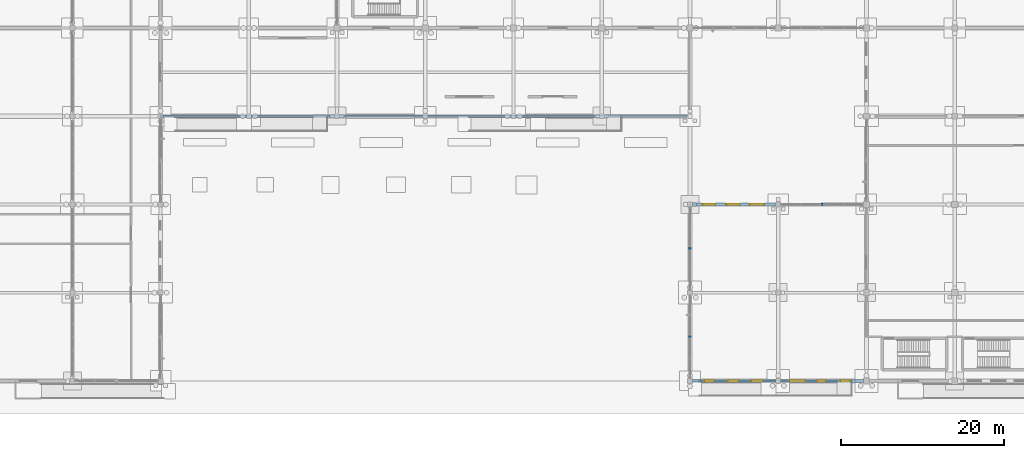
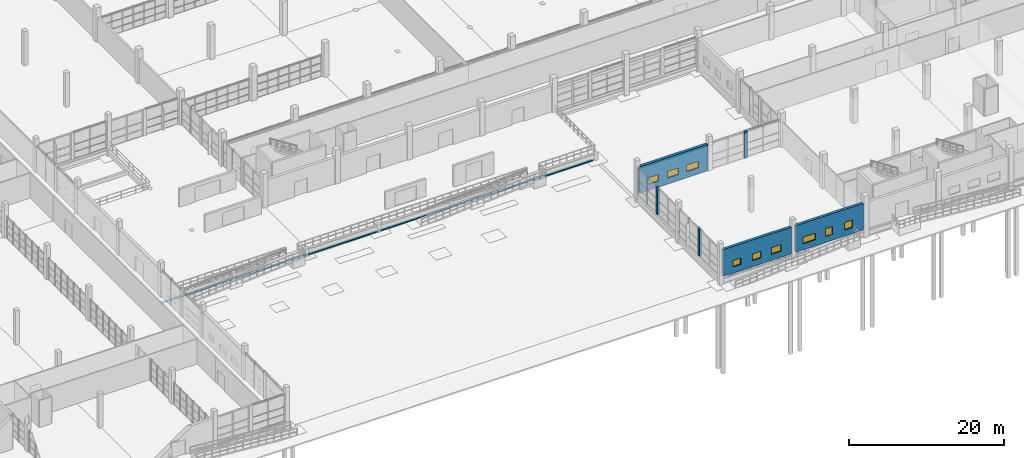
# One storey, part 100 of 138: 9 windows, 7 walls, 9 openings.
"""IFC4 building model written with IfcOpenShell, lengths in metres."""

from ifc_helpers import new_model, si_unit, direction, frame, frame_2d, origin, place, context, subcontext, project, spatial, rectangle, extrude, material, layer, layer_set, type_object, element, fill, save


model = new_model("IFC4")

# Units and contexts
model_context = context("Model", 3, precision=1e-05, world=origin(), true_north=direction((0.0, 1.0)))
body_context = subcontext(model_context, "Body", "Model", "MODEL_VIEW")
ifc_project = project(units=[si_unit("LENGTHUNIT", "METRE"), si_unit("AREAUNIT", "SQUARE_METRE"), si_unit("VOLUMEUNIT", "CUBIC_METRE"), si_unit("PLANEANGLEUNIT", "RADIAN"), si_unit("MASSUNIT", "GRAM", prefix="KILO")], contexts=[model_context])

# Site, building, storey
site_placement = place(None, origin())
site = spatial("IfcSite", under=ifc_project, at=site_placement, CompositionType="ELEMENT")
building_placement = place(site_placement, origin())
building = spatial("IfcBuilding", under=site, at=building_placement, Name="Zwinboog Wholesale Market", CompositionType="ELEMENT")
storey_placement = place(building_placement, origin())
storey = spatial("IfcBuildingStorey", under=building, at=storey_placement, Name="L00", CompositionType="ELEMENT", Elevation=0.0)

# Wall, openings, windows
ifc_material_1 = material(Name="Precast concrete C45/55", Category="concrete")
ifc_layer_1 = layer(ifc_material_1, 0.389892578125)
ifc_layer_set_1 = layer_set([ifc_layer_1], Name="Precast concrete C45/55")
wall_type_1 = type_object("IfcWallType", Name="WT-EW-390", PredefinedType="STANDARD", material=ifc_layer_set_1)
wall_1_placement = place(storey_placement, frame((108.294921875, 0.0, 0.0), z_axis=(0.0, 0.0, 1.0), x_axis=(1.0, 0.0, 0.0)))
wall_1 = element("IfcWall", 1, at=wall_1_placement, inside=storey, type_object=wall_type_1, Name="EW-02 (WL-EW-L00-041)", PredefinedType="STANDARD", context=body_context, shape_type="SweptSolid", body=[
    extrude(rectangle(XDim=10.2099609375, YDim=0.389892578125, at=frame_2d((5.10498046875, 0.0))), origin(), (0.0, 0.0, 1.0), 4.197998046875),
])
opening_1_placement = place(wall_1_placement, frame((1.465087890625, 0.0, 0.949951171875)))
opening_1 = element("IfcOpeningElement", 2, at=opening_1_placement, cuts=wall_1, Name="Opening WN-10", PredefinedType="OPENING", context=body_context, shape_type="SweptSolid", body=[
    extrude(rectangle(XDim=1.169921875, YDim=1.050048828125, at=frame_2d((0.5849609375, 0.52490234375))), frame((0.0, 0.204833984375, 0.0), z_axis=(0.0, -1.0, 0.0), x_axis=(1.0, 0.0, 0.0)), (0.0, 0.0, 1.0), 0.409912109375),
])
opening_2_placement = place(wall_1_placement, frame((4.3349609375, 0.0, 0.949951171875)))
opening_2 = element("IfcOpeningElement", 3, at=opening_2_placement, cuts=wall_1, Name="Opening WN-11", PredefinedType="OPENING", context=body_context, shape_type="SweptSolid", body=[
    extrude(rectangle(XDim=1.2900390625, YDim=1.050048828125, at=frame_2d((0.64501953125, 0.52490234375))), frame((0.0, 0.204833984375, 0.0), z_axis=(0.0, -1.0, 0.0), x_axis=(1.0, 0.0, 0.0)), (0.0, 0.0, 1.0), 0.409912109375),
])
opening_3_placement = place(wall_1_placement, frame((7.205078125, 0.0, 0.949951171875)))
opening_3 = element("IfcOpeningElement", 4, at=opening_3_placement, cuts=wall_1, Name="Opening WN-12", PredefinedType="OPENING", context=body_context, shape_type="SweptSolid", body=[
    extrude(rectangle(XDim=1.409912109375, YDim=1.050048828125, at=frame_2d((0.705078125, 0.52490234375))), frame((0.0, 0.204833984375, 0.0), z_axis=(0.0, -1.0, 0.0), x_axis=(1.0, 0.0, 0.0)), (0.0, 0.0, 1.0), 0.409912109375),
])
ifc_material_2 = material(Name="Thermally broken aluminium low-e window", Category="aluminium")
window_type_1 = type_object("IfcWindowType", Name="WNT-10", PartitioningType="SINGLE_PANEL", PredefinedType="WINDOW", material=ifc_material_2)
window_1_placement = place(opening_1_placement, frame((1.169921875, 0.0, 0.0), z_axis=(0.0, 0.0, 1.0), x_axis=(-1.0, 0.0, 0.0)))
window_1 = element("IfcWindow", 5, at=window_1_placement, inside=storey, type_object=window_type_1, Name="WN-10 (WIN-L00-0010)", OverallHeight=1.050048828125, OverallWidth=1.169921875, PartitioningType="SINGLE_PANEL", PredefinedType="WINDOW", context=body_context, shape_type="SweptSolid", body=[
    extrude(rectangle(XDim=1.169921875, YDim=1.050048828125, at=frame_2d((0.5849609375, 0.52490234375))), frame((0.0, 0.030029296875, 0.0), z_axis=(0.0, -1.0, 0.0), x_axis=(1.0, 0.0, 0.0)), (0.0, 0.0, 1.0), 0.06005859375),
])
fill(opening_1, window_1)
window_type_2 = type_object("IfcWindowType", Name="WNT-11", PartitioningType="SINGLE_PANEL", PredefinedType="WINDOW", material=ifc_material_2)
window_2_placement = place(opening_2_placement, frame((1.2900390625, 0.0, 0.0), z_axis=(0.0, 0.0, 1.0), x_axis=(-1.0, 0.0, 0.0)))
window_2 = element("IfcWindow", 6, at=window_2_placement, inside=storey, type_object=window_type_2, Name="WN-11 (WIN-L00-0011)", OverallHeight=1.050048828125, OverallWidth=1.2900390625, PartitioningType="SINGLE_PANEL", PredefinedType="WINDOW", context=body_context, shape_type="SweptSolid", body=[
    extrude(rectangle(XDim=1.2900390625, YDim=1.050048828125, at=frame_2d((0.64501953125, 0.52490234375))), frame((0.0, 0.030029296875, 0.0), z_axis=(0.0, -1.0, 0.0), x_axis=(1.0, 0.0, 0.0)), (0.0, 0.0, 1.0), 0.06005859375),
])
fill(opening_2, window_2)
window_type_3 = type_object("IfcWindowType", Name="WNT-12", PartitioningType="SINGLE_PANEL", PredefinedType="WINDOW", material=ifc_material_2)
window_3_placement = place(opening_3_placement, frame((1.409912109375, 0.0, 0.0), z_axis=(0.0, 0.0, 1.0), x_axis=(-1.0, 0.0, 0.0)))
window_3 = element("IfcWindow", 7, at=window_3_placement, inside=storey, type_object=window_type_3, Name="WN-12 (WIN-L00-0012)", OverallHeight=1.050048828125, OverallWidth=1.409912109375, PartitioningType="SINGLE_PANEL", PredefinedType="WINDOW", context=body_context, shape_type="SweptSolid", body=[
    extrude(rectangle(XDim=1.409912109375, YDim=1.050048828125, at=frame_2d((0.705078125, 0.52490234375))), frame((0.0, 0.030029296875, 0.0), z_axis=(0.0, -1.0, 0.0), x_axis=(1.0, 0.0, 0.0)), (0.0, 0.0, 1.0), 0.06005859375),
])
fill(opening_3, window_3)

wall_2_placement = place(storey_placement, frame((108.294921875, 21.60009765625, 0.0), z_axis=(0.0, 0.0, 1.0), x_axis=(1.0, 0.0, 0.0)))
wall_2 = element("IfcWall", 8, at=wall_2_placement, inside=storey, type_object=wall_type_1, Name="EW-02 (WL-EW-L00-043)", PredefinedType="STANDARD", context=body_context, shape_type="SweptSolid", body=[
    extrude(rectangle(XDim=10.2099609375, YDim=0.389892578125, at=frame_2d((5.10498046875, 0.0))), origin(), (0.0, 0.0, 1.0), 4.197998046875),
])
opening_4_placement = place(wall_2_placement, frame((1.284912109375, 0.0, 0.949951171875)))
opening_4 = element("IfcOpeningElement", 9, at=opening_4_placement, cuts=wall_2, Name="Opening WN-13", PredefinedType="OPENING", context=body_context, shape_type="SweptSolid", body=[
    extrude(rectangle(XDim=1.530029296875, YDim=1.050048828125, at=frame_2d((0.76513671875, 0.52490234375))), frame((0.0, 0.204833984375, 0.0), z_axis=(0.0, -1.0, 0.0), x_axis=(1.0, 0.0, 0.0)), (0.0, 0.0, 1.0), 0.409912109375),
])
opening_5_placement = place(wall_2_placement, frame((4.155029296875, 0.0, 0.949951171875)))
opening_5 = element("IfcOpeningElement", 10, at=opening_5_placement, cuts=wall_2, Name="Opening WN-14", PredefinedType="OPENING", context=body_context, shape_type="SweptSolid", body=[
    extrude(rectangle(XDim=1.64990234375, YDim=1.050048828125, at=frame_2d((0.824951171875, 0.52490234375))), frame((0.0, 0.204833984375, 0.0), z_axis=(0.0, -1.0, 0.0), x_axis=(1.0, 0.0, 0.0)), (0.0, 0.0, 1.0), 0.409912109375),
])
opening_6_placement = place(wall_2_placement, frame((7.02490234375, 0.0, 0.949951171875)))
opening_6 = element("IfcOpeningElement", 11, at=opening_6_placement, cuts=wall_2, Name="Opening WN-15", PredefinedType="OPENING", context=body_context, shape_type="SweptSolid", body=[
    extrude(rectangle(XDim=1.77001953125, YDim=1.050048828125, at=frame_2d((0.885009765625, 0.52490234375))), frame((0.0, 0.204833984375, 0.0), z_axis=(0.0, -1.0, 0.0), x_axis=(1.0, 0.0, 0.0)), (0.0, 0.0, 1.0), 0.409912109375),
])
window_type_4 = type_object("IfcWindowType", Name="WNT-13", PartitioningType="SINGLE_PANEL", PredefinedType="WINDOW", material=ifc_material_2)
window_4_placement = place(opening_4_placement, origin())
window_4 = element("IfcWindow", 12, at=window_4_placement, inside=storey, type_object=window_type_4, Name="WN-13 (WIN-L00-0013)", OverallHeight=1.050048828125, OverallWidth=1.530029296875, PartitioningType="SINGLE_PANEL", PredefinedType="WINDOW", context=body_context, shape_type="SweptSolid", body=[
    extrude(rectangle(XDim=1.530029296875, YDim=1.050048828125, at=frame_2d((0.76513671875, 0.52490234375))), frame((0.0, 0.030029296875, 0.0), z_axis=(0.0, -1.0, 0.0), x_axis=(1.0, 0.0, 0.0)), (0.0, 0.0, 1.0), 0.06005859375),
])
fill(opening_4, window_4)
window_type_5 = type_object("IfcWindowType", Name="WNT-14", PartitioningType="SINGLE_PANEL", PredefinedType="WINDOW", material=ifc_material_2)
window_5_placement = place(opening_5_placement, origin())
window_5 = element("IfcWindow", 13, at=window_5_placement, inside=storey, type_object=window_type_5, Name="WN-14 (WIN-L00-0014)", OverallHeight=1.050048828125, OverallWidth=1.64990234375, PartitioningType="SINGLE_PANEL", PredefinedType="WINDOW", context=body_context, shape_type="SweptSolid", body=[
    extrude(rectangle(XDim=1.64990234375, YDim=1.050048828125, at=frame_2d((0.824951171875, 0.52490234375))), frame((0.0, 0.030029296875, 0.0), z_axis=(0.0, -1.0, 0.0), x_axis=(1.0, 0.0, 0.0)), (0.0, 0.0, 1.0), 0.06005859375),
])
fill(opening_5, window_5)
window_type_6 = type_object("IfcWindowType", Name="WNT-15", PartitioningType="SINGLE_PANEL", PredefinedType="WINDOW", material=ifc_material_2)
window_6_placement = place(opening_6_placement, origin())
window_6 = element("IfcWindow", 14, at=window_6_placement, inside=storey, type_object=window_type_6, Name="WN-15 (WIN-L00-0015)", OverallHeight=1.050048828125, OverallWidth=1.77001953125, PartitioningType="SINGLE_PANEL", PredefinedType="WINDOW", context=body_context, shape_type="SweptSolid", body=[
    extrude(rectangle(XDim=1.77001953125, YDim=1.050048828125, at=frame_2d((0.885009765625, 0.52490234375))), frame((0.0, 0.030029296875, 0.0), z_axis=(0.0, -1.0, 0.0), x_axis=(1.0, 0.0, 0.0)), (0.0, 0.0, 1.0), 0.06005859375),
])
fill(opening_6, window_6)

wall_3_placement = place(storey_placement, frame((119.094970703125, 0.0, 0.0), z_axis=(0.0, 0.0, 1.0), x_axis=(1.0, 0.0, 0.0)))
wall_3 = element("IfcWall", 15, at=wall_3_placement, inside=storey, type_object=wall_type_1, Name="EW-02 (WL-EW-L00-047)", PredefinedType="STANDARD", context=body_context, shape_type="SweptSolid", body=[
    extrude(rectangle(XDim=10.135009765625, YDim=0.389892578125, at=frame_2d((5.0673828125, 0.0))), origin(), (0.0, 0.0, 1.0), 4.197998046875),
])
opening_7_placement = place(wall_3_placement, frame((1.10498046875, 0.0, 0.949951171875)))
opening_7 = element("IfcOpeningElement", 16, at=opening_7_placement, cuts=wall_3, Name="Opening WN-16", PredefinedType="OPENING", context=body_context, shape_type="SweptSolid", body=[
    extrude(rectangle(XDim=1.889892578125, YDim=1.050048828125, at=frame_2d((0.94482421875, 0.52490234375))), frame((0.0, 0.204833984375, 0.0), z_axis=(0.0, -1.0, 0.0), x_axis=(1.0, 0.0, 0.0)), (0.0, 0.0, 1.0), 0.409912109375),
])
opening_8_placement = place(wall_3_placement, frame((4.455078125, 0.0, 0.949951171875)))
opening_8 = element("IfcOpeningElement", 17, at=opening_8_placement, cuts=wall_3, Name="Opening WN-17", PredefinedType="OPENING", context=body_context, shape_type="SweptSolid", body=[
    extrude(rectangle(XDim=1.050048828125, YDim=1.199951171875, at=frame_2d((0.52490234375, 0.60009765625))), frame((0.0, 0.204833984375, 0.0), z_axis=(0.0, -1.0, 0.0), x_axis=(1.0, 0.0, 0.0)), (0.0, 0.0, 1.0), 0.409912109375),
])
opening_9_placement = place(wall_3_placement, frame((7.324951171875, 0.0, 0.949951171875)))
opening_9 = element("IfcOpeningElement", 18, at=opening_9_placement, cuts=wall_3, Name="Opening WN-18", PredefinedType="OPENING", context=body_context, shape_type="SweptSolid", body=[
    extrude(rectangle(XDim=1.169921875, YDim=1.199951171875, at=frame_2d((0.5849609375, 0.60009765625))), frame((0.0, 0.204833984375, 0.0), z_axis=(0.0, -1.0, 0.0), x_axis=(1.0, 0.0, 0.0)), (0.0, 0.0, 1.0), 0.409912109375),
])
window_type_7 = type_object("IfcWindowType", Name="WNT-16", PartitioningType="SINGLE_PANEL", PredefinedType="WINDOW", material=ifc_material_2)
window_7_placement = place(opening_7_placement, frame((1.889892578125, 0.0, 0.0), z_axis=(0.0, 0.0, 1.0), x_axis=(-1.0, 0.0, 0.0)))
window_7 = element("IfcWindow", 19, at=window_7_placement, inside=storey, type_object=window_type_7, Name="WN-16 (WIN-L00-0016)", OverallHeight=1.050048828125, OverallWidth=1.889892578125, PartitioningType="SINGLE_PANEL", PredefinedType="WINDOW", context=body_context, shape_type="SweptSolid", body=[
    extrude(rectangle(XDim=1.889892578125, YDim=1.050048828125, at=frame_2d((0.94482421875, 0.52490234375))), frame((0.0, 0.030029296875, 0.0), z_axis=(0.0, -1.0, 0.0), x_axis=(1.0, 0.0, 0.0)), (0.0, 0.0, 1.0), 0.06005859375),
])
fill(opening_7, window_7)
window_type_8 = type_object("IfcWindowType", Name="WNT-17", PartitioningType="SINGLE_PANEL", PredefinedType="WINDOW", material=ifc_material_2)
window_8_placement = place(opening_8_placement, frame((1.050048828125, 0.0, 0.0), z_axis=(0.0, 0.0, 1.0), x_axis=(-1.0, 0.0, 0.0)))
window_8 = element("IfcWindow", 20, at=window_8_placement, inside=storey, type_object=window_type_8, Name="WN-17 (WIN-L00-0017)", OverallHeight=1.199951171875, OverallWidth=1.050048828125, PartitioningType="SINGLE_PANEL", PredefinedType="WINDOW", context=body_context, shape_type="SweptSolid", body=[
    extrude(rectangle(XDim=1.050048828125, YDim=1.199951171875, at=frame_2d((0.52490234375, 0.60009765625))), frame((0.0, 0.030029296875, 0.0), z_axis=(0.0, -1.0, 0.0), x_axis=(1.0, 0.0, 0.0)), (0.0, 0.0, 1.0), 0.06005859375),
])
fill(opening_8, window_8)
window_type_9 = type_object("IfcWindowType", Name="WNT-18", PartitioningType="SINGLE_PANEL", PredefinedType="WINDOW", material=ifc_material_2)
window_9_placement = place(opening_9_placement, frame((1.169921875, 0.0, 0.0), z_axis=(0.0, 0.0, 1.0), x_axis=(-1.0, 0.0, 0.0)))
window_9 = element("IfcWindow", 21, at=window_9_placement, inside=storey, type_object=window_type_9, Name="WN-18 (WIN-L00-0018)", OverallHeight=1.199951171875, OverallWidth=1.169921875, PartitioningType="SINGLE_PANEL", PredefinedType="WINDOW", context=body_context, shape_type="SweptSolid", body=[
    extrude(rectangle(XDim=1.169921875, YDim=1.199951171875, at=frame_2d((0.5849609375, 0.60009765625))), frame((0.0, 0.030029296875, 0.0), z_axis=(0.0, -1.0, 0.0), x_axis=(1.0, 0.0, 0.0)), (0.0, 0.0, 1.0), 0.06005859375),
])
fill(opening_9, window_9)

# Walls
ifc_layer_2 = layer(ifc_material_1, 0.304931640625)
ifc_layer_set_2 = layer_set([ifc_layer_2], Name="Precast concrete C45/55")
wall_type_2 = type_object("IfcWallType", Name="WT-EW-305", PredefinedType="STANDARD", material=ifc_layer_set_2)
wall_4_placement = place(storey_placement, frame((108.0, 5.199951171875, 0.0), z_axis=(0.0, 0.0, 1.0), x_axis=(0.0, 1.0, 0.0)))
element("IfcWall", 22, at=wall_4_placement, inside=storey, type_object=wall_type_2, Name="EW-07 (WL-PIER-L00-042)", PredefinedType="STANDARD", context=body_context, shape_type="SweptSolid", body=[
    extrude(rectangle(XDim=0.400146484375, YDim=0.304931640625, at=frame_2d((0.2001953125, 0.0))), origin(), (0.0, 0.0, 1.0), 4.25),
])
wall_5_placement = place(storey_placement, frame((108.0, 16.0, 0.0), z_axis=(0.0, 0.0, 1.0), x_axis=(0.0, 1.0, 0.0)))
element("IfcWall", 23, at=wall_5_placement, inside=storey, type_object=wall_type_2, Name="EW-07 (WL-PIER-L00-044)", PredefinedType="STANDARD", context=body_context, shape_type="SweptSolid", body=[
    extrude(rectangle(XDim=0.39990234375, YDim=0.304931640625, at=frame_2d((0.199951171875, 0.0))), origin(), (0.0, 0.0, 1.0), 4.25),
])
wall_6_placement = place(storey_placement, frame((124.0, 21.60009765625, 0.0), z_axis=(0.0, 0.0, 1.0), x_axis=(1.0, 0.0, 0.0)))
element("IfcWall", 24, at=wall_6_placement, inside=storey, type_object=wall_type_2, Name="EW-07 (WL-PIER-L00-048)", PredefinedType="STANDARD", context=body_context, shape_type="SweptSolid", body=[
    extrude(rectangle(XDim=0.39990234375, YDim=0.304931640625, at=frame_2d((0.199951171875, 0.0))), origin(), (0.0, 0.0, 1.0), 4.197998046875),
])
ifc_material_3 = material(Name="Concrete C40/50", Category="concrete")
ifc_layer_3 = layer(ifc_material_3, 0.333984375)
ifc_layer_set_3 = layer_set([ifc_layer_3], Name="Concrete C40/50")
wall_type_3 = type_object("IfcWallType", Name="WT-RW-334", PredefinedType="USERDEFINED", material=ifc_layer_set_3)
wall_7_placement = place(storey_placement, frame((43.199951171875, 32.39990234375, -1.199951171875), z_axis=(0.0, 0.0, 1.0), x_axis=(1.0, 0.0, 0.0)))
element("IfcWall", 25, at=wall_7_placement, inside=storey, type_object=wall_type_3, Name="RW-01 (WL-RET-06)", ObjectType="RETAININGWALL", PredefinedType="USERDEFINED", context=body_context, shape_type="SweptSolid", body=[
    extrude(rectangle(XDim=64.35009765625, YDim=0.333984375, at=frame_2d((32.175048828125, 0.0))), origin(), (0.0, 0.0, 1.0), 0.139892578125),
])

save(model, "model.ifc")
